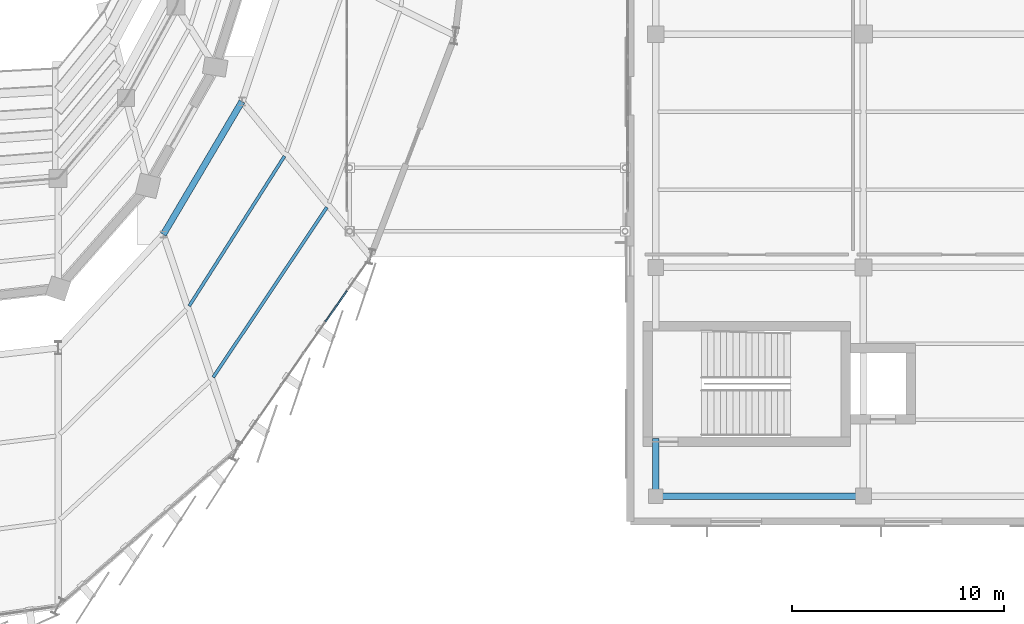
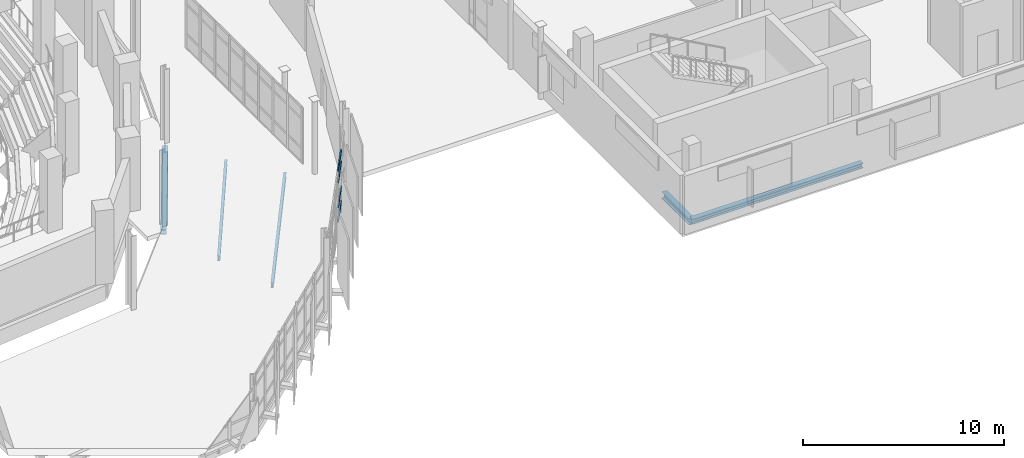
# One storey, part 67 of 134: 5 beams, 4 members, 1 element without a shape of its own.
"""IFC4 building model written with IfcOpenShell, lengths in metres."""

from ifc_helpers import new_model, si_unit, direction, frame, origin, origin_2d, place, context, subcontext, project, spatial, rectangle, i_section, extrude, material, layer, layer_set, material_profile, profile_set, type_object, element, aggregate, save


model = new_model("IFC4")

# Units and contexts
model_context = context("Model", 3, precision=1e-05, world=origin(), true_north=direction((0.0, 1.0)))
body_context = subcontext(model_context, "Body", "Model", "MODEL_VIEW")
ifc_project = project(units=[si_unit("LENGTHUNIT", "METRE"), si_unit("AREAUNIT", "SQUARE_METRE"), si_unit("VOLUMEUNIT", "CUBIC_METRE"), si_unit("PLANEANGLEUNIT", "RADIAN"), si_unit("MASSUNIT", "GRAM", prefix="KILO")], contexts=[model_context])

# Site, building, storey
site_placement = place(None, origin())
site = spatial("IfcSite", under=ifc_project, at=site_placement, CompositionType="ELEMENT")
building_placement = place(site_placement, origin())
building = spatial("IfcBuilding", under=site, at=building_placement, Name="Sohan Crest Arena", CompositionType="ELEMENT")
storey_placement = place(building_placement, frame((0.0, 0.0, 4.5)))
storey = spatial("IfcBuildingStorey", under=building, at=storey_placement, Name="L01", CompositionType="ELEMENT", Elevation=4.5)

# Curtain wall, members
ifc_material_1 = material(Name="Thermally broken anodised aluminium", Category="aluminium")
ifc_layer = layer(ifc_material_1, 0.219970703125, Name="Thermally broken anodised aluminium")
ifc_layer_set = layer_set([ifc_layer], Name="Thermally broken anodised aluminium")
curtain_wall_type = type_object("IfcCurtainWallType", Name="ARC-CW03", PredefinedType="NOTDEFINED", material=ifc_layer_set)
curtain_wall_placement = place(storey_placement, origin())
curtain_wall = element("IfcCurtainWall", 1, at=curtain_wall_placement, inside=storey, type_object=curtain_wall_type, Name="Unitised curtain wall CW-038", PredefinedType="NOTDEFINED")
ifc_material_profile_1 = material_profile(ifc_material_1, rectangle(XDim=0.070068359375, YDim=0.14990234375, at=origin_2d()), Name="ALU-TRAN 70x150")
ifc_profile_set_1 = profile_set([ifc_material_profile_1], Name="Thermally broken anodised aluminium")
member_type = type_object("IfcMemberType", Name="ARC-CW-TR03", PredefinedType="USERDEFINED", material=ifc_profile_set_1)
member_1_placement = place(storey_placement, frame((180.619384765625, 53.447998046875, 0.034912109375), z_axis=(0.57099520321, 0.8209533957, 0.0), x_axis=(-0.8209533957, 0.57099520321, 0.0)))
member_1 = element("IfcMember", 2, at=member_1_placement, type_object=member_type, Name="CW-038 transom 5.1", ObjectType="TRANSOM", PredefinedType="USERDEFINED", context=body_context, shape_type="SweptSolid", body=[
    extrude(rectangle(XDim=0.070068359375, YDim=0.14990234375, at=origin_2d()), origin(), (0.0, 0.0, 1.0), 1.755126953125),
])
member_2_placement = place(storey_placement, frame((180.619384765625, 53.447998046875, 0.89990234375), z_axis=(0.57099520321, 0.8209533957, 0.0), x_axis=(-0.8209533957, 0.57099520321, 0.0)))
member_2 = element("IfcMember", 3, at=member_2_placement, type_object=member_type, Name="CW-038 transom 5.2", ObjectType="TRANSOM", PredefinedType="USERDEFINED", context=body_context, shape_type="SweptSolid", body=[
    extrude(rectangle(XDim=0.070068359375, YDim=0.14990234375, at=origin_2d()), origin(), (0.0, 0.0, 1.0), 1.755126953125),
])
member_3_placement = place(storey_placement, frame((180.619384765625, 53.447998046875, 2.419921875), z_axis=(0.57099520321, 0.8209533957, 0.0), x_axis=(-0.8209533957, 0.57099520321, 0.0)))
member_3 = element("IfcMember", 4, at=member_3_placement, type_object=member_type, Name="CW-038 transom 5.3", ObjectType="TRANSOM", PredefinedType="USERDEFINED", context=body_context, shape_type="SweptSolid", body=[
    extrude(rectangle(XDim=0.070068359375, YDim=0.14990234375, at=origin_2d()), origin(), (0.0, 0.0, 1.0), 1.755126953125),
])
member_4_placement = place(storey_placement, frame((180.619384765625, 53.447998046875, 3.0849609375), z_axis=(0.57099520321, 0.8209533957, 0.0), x_axis=(-0.8209533957, 0.57099520321, 0.0)))
member_4 = element("IfcMember", 5, at=member_4_placement, type_object=member_type, Name="CW-038 transom 5.4", ObjectType="TRANSOM", PredefinedType="USERDEFINED", context=body_context, shape_type="SweptSolid", body=[
    extrude(rectangle(XDim=0.070068359375, YDim=0.14990234375, at=origin_2d()), origin(), (0.0, 0.0, 1.0), 1.755126953125),
])
aggregate(curtain_wall, [member_1, member_2, member_3, member_4])

# Beams
ifc_material_2 = material(Name="Steel S355", Category="steel")
ifc_material_profile_2 = material_profile(ifc_material_2, i_section(OverallWidth=0.14990234375, OverallDepth=0.300048828125, WebThickness=0.007080078125, FlangeThickness=0.0107421875, at=origin_2d()), Name="IPE 300")
ifc_profile_set_2 = profile_set([ifc_material_profile_2], Name="Steel S355")
beam_type_1 = type_object("IfcBeamType", Name="STR-BM-B01", PredefinedType="JOIST", material=ifc_profile_set_2)
beam_1_placement = place(storey_placement, frame((174.18310546875, 54.175048828125, -0.425048828125), z_axis=(0.536679400997, 0.843786241027, 0.0), x_axis=(-0.843786241027, 0.536679400997, 0.0)))
element("IfcBeam", 6, at=beam_1_placement, inside=storey, type_object=beam_type_1, Name="Structural beam J-L01-1180", PredefinedType="JOIST", context=body_context, shape_type="SweptSolid", body=[
    extrude(i_section(OverallWidth=0.14990234375, OverallDepth=0.300048828125, WebThickness=0.007080078125, FlangeThickness=0.0107421875, at=origin_2d()), origin(), (0.0, 0.0, 1.0), 8.37890625),
])
beam_2_placement = place(storey_placement, frame((175.31494140625, 50.80908203125, -0.425048828125), z_axis=(0.556006645923, 0.831177844802, 0.0), x_axis=(-0.831177844802, 0.556006645923, 0.0)))
element("IfcBeam", 7, at=beam_2_placement, inside=storey, type_object=beam_type_1, Name="Structural beam J-L01-1181", PredefinedType="JOIST", context=body_context, shape_type="SweptSolid", body=[
    extrude(i_section(OverallWidth=0.14990234375, OverallDepth=0.300048828125, WebThickness=0.007080078125, FlangeThickness=0.0107421875, at=origin_2d()), origin(), (0.0, 0.0, 1.0), 9.65478515625),
])
ifc_material_profile_3 = material_profile(ifc_material_2, i_section(OverallWidth=0.300048828125, OverallDepth=0.2900390625, WebThickness=0.008544921875, FlangeThickness=0.013916015625, at=origin_2d()), Name="HEA 300")
ifc_profile_set_3 = profile_set([ifc_material_profile_3], Name="Steel S355")
beam_type_2 = type_object("IfcBeamType", Name="STR-BM-B08", PredefinedType="BEAM", material=ifc_profile_set_3)
beam_3_placement = place(storey_placement, frame((196.199951171875, 45.199951171875, -0.375), z_axis=(1.0, 0.0, 0.0), x_axis=(0.0, 1.0, 0.0)))
element("IfcBeam", 8, at=beam_3_placement, inside=storey, type_object=beam_type_2, Name="Structural beam G-L01-2278", PredefinedType="BEAM", context=body_context, shape_type="SweptSolid", body=[
    extrude(i_section(OverallWidth=0.300048828125, OverallDepth=0.2900390625, WebThickness=0.008544921875, FlangeThickness=0.013916015625, at=origin_2d()), origin(), (0.0, 0.0, 1.0), 9.800048828125),
])
ifc_material_profile_4 = material_profile(ifc_material_2, i_section(OverallWidth=0.300048828125, OverallDepth=0.389892578125, WebThickness=0.010986328125, FlangeThickness=0.01904296875, at=origin_2d()), Name="HEA 400")
ifc_profile_set_4 = profile_set([ifc_material_profile_4], Name="Steel S355")
beam_type_3 = type_object("IfcBeamType", Name="STR-BM-B09", PredefinedType="BEAM", material=ifc_profile_set_4)
beam_4_placement = place(storey_placement, frame((196.199951171875, 45.199951171875, -0.425048828125), z_axis=(0.0, 1.0, 0.0), x_axis=(-1.0, 0.0, 0.0)))
element("IfcBeam", 9, at=beam_4_placement, inside=storey, type_object=beam_type_3, Name="Structural beam G-L01-2264", PredefinedType="BEAM", context=body_context, shape_type="SweptSolid", body=[
    extrude(i_section(OverallWidth=0.300048828125, OverallDepth=0.389892578125, WebThickness=0.010986328125, FlangeThickness=0.01904296875, at=origin_2d()), origin(), (0.0, 0.0, 1.0), 2.719970703125),
])
ifc_material_profile_5 = material_profile(ifc_material_2, i_section(OverallWidth=0.300048828125, OverallDepth=0.300048828125, WebThickness=0.010986328125, FlangeThickness=0.01904296875, at=origin_2d()), Name="HEB 300")
ifc_profile_set_5 = profile_set([ifc_material_profile_5], Name="Steel S355")
beam_type_4 = type_object("IfcBeamType", Name="STR-BM-B12", PredefinedType="BEAM", material=ifc_profile_set_5)
beam_5_placement = place(storey_placement, frame((172.9609375, 57.547119140625, -0.425048828125), z_axis=(0.509085626747, 0.860715879161, 0.0), x_axis=(-0.860715879161, 0.509085626747, 0.0)))
element("IfcBeam", 10, at=beam_5_placement, inside=storey, type_object=beam_type_4, Name="Structural beam G-L01-1178", PredefinedType="BEAM", context=body_context, shape_type="SweptSolid", body=[
    extrude(i_section(OverallWidth=0.300048828125, OverallDepth=0.300048828125, WebThickness=0.010986328125, FlangeThickness=0.01904296875, at=origin_2d()), origin(), (0.0, 0.0, 1.0), 7.293701171875),
])

save(model, "model.ifc")
